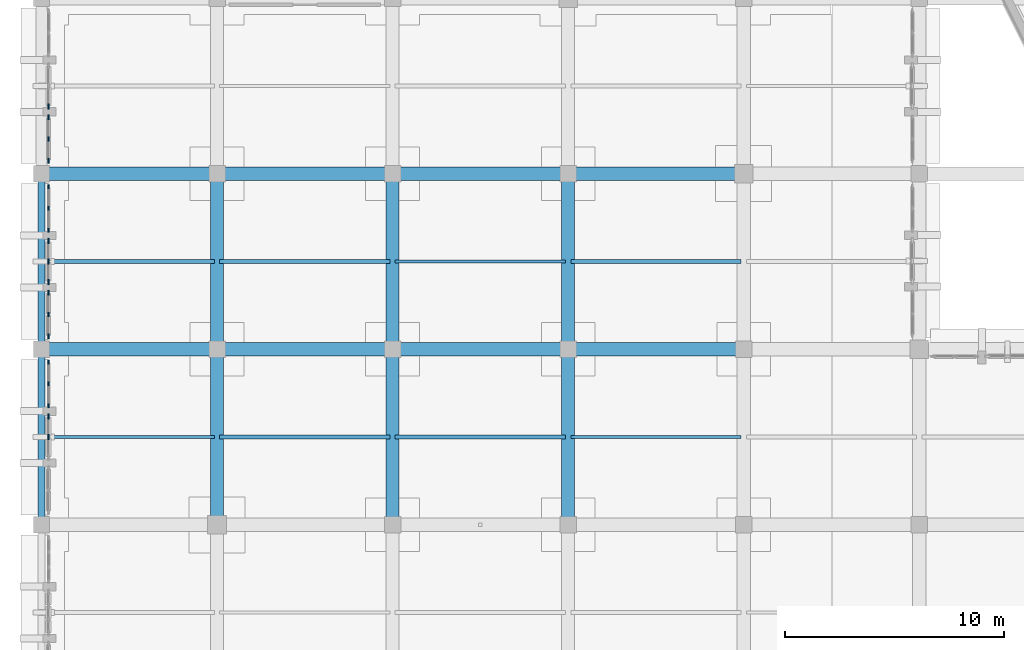
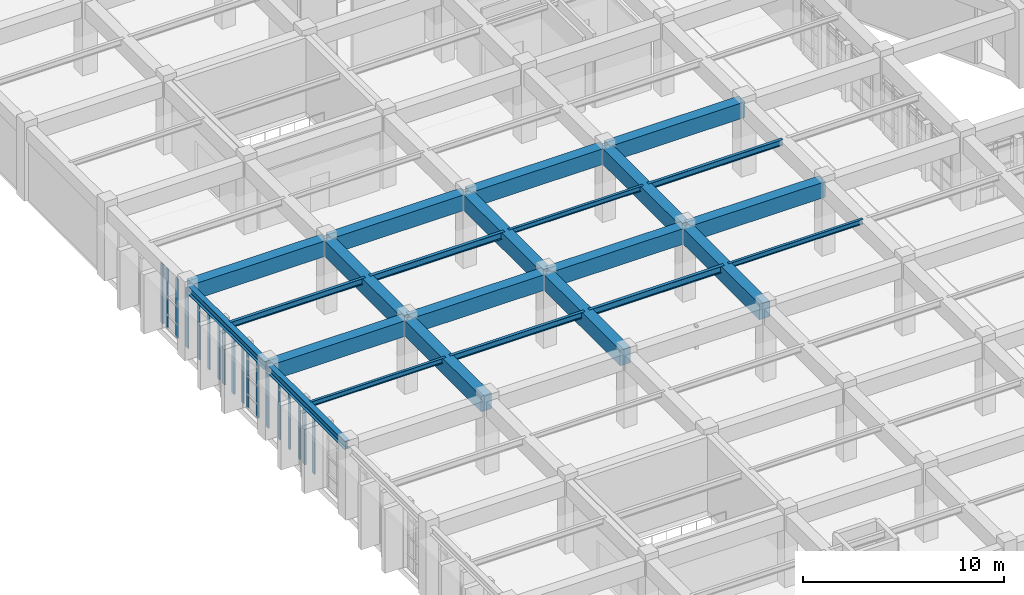
# One storey, part 14 of 155: 24 beams, 18 members, 7 elements without a shape of their own.
"""IFC4 building model written with IfcOpenShell, lengths in metres."""

from ifc_helpers import new_model, si_unit, direction, frame, origin, origin_2d, place, context, subcontext, project, spatial, rectangle, i_section, extrude, material, layer, layer_set, material_profile, profile_set, type_object, element, aggregate, save


model = new_model("IFC4")

# Units and contexts
model_context = context("Model", 3, precision=1e-05, world=origin(), true_north=direction((0.0, 1.0)))
body_context = subcontext(model_context, "Body", "Model", "MODEL_VIEW")
ifc_project = project(units=[si_unit("LENGTHUNIT", "METRE"), si_unit("AREAUNIT", "SQUARE_METRE"), si_unit("VOLUMEUNIT", "CUBIC_METRE"), si_unit("PLANEANGLEUNIT", "RADIAN"), si_unit("MASSUNIT", "GRAM", prefix="KILO")], contexts=[model_context])

# Site, building, storey
site_placement = place(None, origin())
site = spatial("IfcSite", under=ifc_project, at=site_placement, CompositionType="ELEMENT")
building_placement = place(site_placement, origin())
building = spatial("IfcBuilding", under=site, at=building_placement, Name="Tazarka Park Arena", CompositionType="ELEMENT")
storey_placement = place(building_placement, frame((0.0, 0.0, 5.39990234375)))
storey = spatial("IfcBuildingStorey", under=building, at=storey_placement, Name="L01", CompositionType="ELEMENT", Elevation=5.39990234375)

# Beams
ifc_material_1 = material(Name="Concrete C40/50", Category="concrete")
ifc_material_profile_1 = material_profile(ifc_material_1, rectangle(XDim=0.60009765625, YDim=0.949951171875, at=origin_2d()), Name="Concrete C40/50")
ifc_profile_set_1 = profile_set([ifc_material_profile_1], Name="Concrete C40/50")
beam_type_1 = type_object("IfcBeamType", Name="BM-B-03", PredefinedType="BEAM", material=ifc_profile_set_1)
for number, where, z_axis, x_axis, name in (
    (1, (0.1201171875, 40.0, 3.945068359375), (1.0, 0.0, 0.0), (0.0, 1.0, 0.0), "GXM-L01-00-05"),
    (2, (0.1201171875, 48.0, 3.945068359375), (1.0, 0.0, 0.0), (0.0, 1.0, 0.0), "GXM-L01-00-06"),
    (3, (8.0, 32.1201171875, 3.945068359375), (0.0, 1.0, 0.0), (-1.0, 0.0, 0.0), "GYM-L01-01-04"),
    (4, (8.1201171875, 40.0, 3.945068359375), (1.0, 0.0, 0.0), (0.0, 1.0, 0.0), "GXM-L01-01-05"),
    (5, (8.0, 40.1201171875, 3.945068359375), (0.0, 1.0, 0.0), (-1.0, 0.0, 0.0), "GYM-L01-01-05"),
    (6, (8.1201171875, 48.0, 3.945068359375), (1.0, 0.0, 0.0), (0.0, 1.0, 0.0), "GXM-L01-01-06"),
    (7, (16.0, 32.1201171875, 3.945068359375), (0.0, 1.0, 0.0), (-1.0, 0.0, 0.0), "GYM-L01-02-04"),
    (8, (16.1201171875, 40.0, 3.945068359375), (1.0, 0.0, 0.0), (0.0, 1.0, 0.0), "GXM-L01-02-05"),
    (9, (16.0, 40.1201171875, 3.945068359375), (0.0, 1.0, 0.0), (-1.0, 0.0, 0.0), "GYM-L01-02-05"),
    (10, (16.1201171875, 48.0, 3.945068359375), (1.0, 0.0, 0.0), (0.0, 1.0, 0.0), "GXM-L01-02-06"),
    (11, (24.0, 32.1201171875, 3.945068359375), (0.0, 1.0, 0.0), (-1.0, 0.0, 0.0), "GYM-L01-03-04"),
    (12, (24.1201171875, 40.0, 3.945068359375), (1.0, 0.0, 0.0), (0.0, 1.0, 0.0), "GXM-L01-03-05"),
    (13, (24.0, 40.1201171875, 3.945068359375), (0.0, 1.0, 0.0), (-1.0, 0.0, 0.0), "GYM-L01-03-05"),
    (14, (24.1201171875, 48.0, 3.945068359375), (1.0, 0.0, 0.0), (0.0, 1.0, 0.0), "GXM-L01-03-06"),
):
    element("IfcBeam", number, at=place(storey_placement, frame(where, z_axis=z_axis, x_axis=x_axis)), inside=storey, type_object=beam_type_1, Name=name, PredefinedType="BEAM", context=body_context, shape_type="SweptSolid", body=[
        extrude(rectangle(XDim=0.60009765625, YDim=0.949951171875, at=origin_2d()), origin(), (0.0, 0.0, 1.0), 7.759765625),
    ])
ifc_material_2 = material(Name="Steel S355", Category="steel")
ifc_material_profile_2 = material_profile(ifc_material_2, i_section(OverallWidth=0.14990234375, OverallDepth=0.300048828125, WebThickness=0.007080078125, FlangeThickness=0.0107421875, FilletRadius=0.014892578125, at=origin_2d()), Name="Steel S355")
ifc_profile_set_2 = profile_set([ifc_material_profile_2], Name="Steel S355")
beam_type_2 = type_object("IfcBeamType", Name="BM-J-01", PredefinedType="JOIST", material=ifc_profile_set_2)
for number, where, z_axis, x_axis, name in (
    (15, (0.1201171875, 36.0, 4.27001953125), (1.0, 0.0, 0.0), (0.0, 1.0, 0.0), "JST-L01-00-04"),
    (16, (16.1201171875, 44.0, 4.27001953125), (1.0, 0.0, 0.0), (0.0, 1.0, 0.0), "JST-L01-02-05"),
    (17, (24.1201171875, 36.0, 4.27001953125), (1.0, 0.0, 0.0), (0.0, 1.0, 0.0), "JST-L01-03-04"),
):
    element("IfcBeam", number, at=place(storey_placement, frame(where, z_axis=z_axis, x_axis=x_axis)), inside=storey, type_object=beam_type_2, Name=name, PredefinedType="JOIST", context=body_context, shape_type="SweptSolid", body=[
        extrude(i_section(OverallWidth=0.14990234375, OverallDepth=0.300048828125, WebThickness=0.007080078125, FlangeThickness=0.0107421875, FilletRadius=0.014892578125, at=origin_2d()), origin(), (0.0, 0.0, 1.0), 7.759765625),
    ])
ifc_material_3 = material(Name="Steel S355", Category="steel")
ifc_material_profile_3 = material_profile(ifc_material_3, i_section(OverallWidth=0.169921875, OverallDepth=0.360107421875, WebThickness=0.008056640625, FlangeThickness=0.0126953125, FilletRadius=0.01806640625, at=origin_2d()), Name="Steel S355")
ifc_profile_set_3 = profile_set([ifc_material_profile_3], Name="Steel S355")
beam_type_3 = type_object("IfcBeamType", Name="BM-J-02", PredefinedType="JOIST", material=ifc_profile_set_3)
for number, where, z_axis, x_axis, name in (
    (18, (0.1201171875, 44.0, 4.239990234375), (1.0, 0.0, 0.0), (0.0, 1.0, 0.0), "JST-L01-00-05"),
    (19, (8.1201171875, 36.0, 4.239990234375), (1.0, 0.0, 0.0), (0.0, 1.0, 0.0), "JST-L01-01-04"),
    (20, (24.1201171875, 44.0, 4.239990234375), (1.0, 0.0, 0.0), (0.0, 1.0, 0.0), "JST-L01-03-05"),
):
    element("IfcBeam", number, at=place(storey_placement, frame(where, z_axis=z_axis, x_axis=x_axis)), inside=storey, type_object=beam_type_3, Name=name, PredefinedType="JOIST", context=body_context, shape_type="SweptSolid", body=[
        extrude(i_section(OverallWidth=0.169921875, OverallDepth=0.360107421875, WebThickness=0.008056640625, FlangeThickness=0.0126953125, FilletRadius=0.01806640625, at=origin_2d()), origin(), (0.0, 0.0, 1.0), 7.759765625),
    ])
ifc_material_4 = material(Name="Steel S355", Category="steel")
ifc_material_profile_4 = material_profile(ifc_material_4, i_section(OverallWidth=0.179931640625, OverallDepth=0.39990234375, WebThickness=0.008544921875, FlangeThickness=0.013427734375, FilletRadius=0.02099609375, at=origin_2d()), Name="Steel S355")
ifc_profile_set_4 = profile_set([ifc_material_profile_4], Name="Steel S355")
beam_type_4 = type_object("IfcBeamType", Name="BM-J-03", PredefinedType="JOIST", material=ifc_profile_set_4)
for number, where, z_axis, x_axis, name in (
    (21, (8.1201171875, 44.0, 4.22021484375), (1.0, 0.0, 0.0), (0.0, 1.0, 0.0), "JST-L01-01-05"),
    (22, (16.1201171875, 36.0, 4.22021484375), (1.0, 0.0, 0.0), (0.0, 1.0, 0.0), "JST-L01-02-04"),
):
    element("IfcBeam", number, at=place(storey_placement, frame(where, z_axis=z_axis, x_axis=x_axis)), inside=storey, type_object=beam_type_4, Name=name, PredefinedType="JOIST", context=body_context, shape_type="SweptSolid", body=[
        extrude(i_section(OverallWidth=0.179931640625, OverallDepth=0.39990234375, WebThickness=0.008544921875, FlangeThickness=0.013427734375, FilletRadius=0.02099609375, at=origin_2d()), origin(), (0.0, 0.0, 1.0), 7.759765625),
    ])
ifc_material_5 = material(Name="Steel S355", Category="steel")
ifc_material_profile_5 = material_profile(ifc_material_5, i_section(OverallWidth=0.300048828125, OverallDepth=0.489990234375, WebThickness=0.011962890625, FlangeThickness=0.02294921875, FilletRadius=0.027099609375, at=origin_2d()), Name="Steel S355")
ifc_profile_set_5 = profile_set([ifc_material_profile_5], Name="Steel S355")
beam_type_5 = type_object("IfcBeamType", Name="BM-SP-02", PredefinedType="SPANDREL", material=ifc_profile_set_5)
for number, where, z_axis, x_axis, name in (
    (23, (0.0, 32.1201171875, 4.175048828125), (0.0, 1.0, 0.0), (-1.0, 0.0, 0.0), "GYM-L01-00-04"),
    (24, (0.0, 40.1201171875, 4.175048828125), (0.0, 1.0, 0.0), (-1.0, 0.0, 0.0), "GYM-L01-00-05"),
):
    element("IfcBeam", number, at=place(storey_placement, frame(where, z_axis=z_axis, x_axis=x_axis)), inside=storey, type_object=beam_type_5, Name=name, PredefinedType="SPANDREL", context=body_context, shape_type="SweptSolid", body=[
        extrude(i_section(OverallWidth=0.300048828125, OverallDepth=0.489990234375, WebThickness=0.011962890625, FlangeThickness=0.02294921875, FilletRadius=0.027099609375, at=origin_2d()), origin(), (0.0, 0.0, 1.0), 7.759765625),
    ])

# Curtain wall, members
ifc_material_6 = material(Name="Aluminium and low-e glass", Category="aluminium")
ifc_layer_1 = layer(ifc_material_6, 0.179931640625, Name="Aluminium and low-e glass")
ifc_layer_set_1 = layer_set([ifc_layer_1], Name="Aluminium and low-e glass")
curtain_wall_type_1 = type_object("IfcCurtainWallType", Name="CW-24", PredefinedType="NOTDEFINED", material=ifc_layer_set_1)
curtain_wall_1_placement = place(storey_placement, origin())
curtain_wall_1 = element("IfcCurtainWall", 25, at=curtain_wall_1_placement, inside=storey, type_object=curtain_wall_type_1, Name="Curtain Wall CWA-L01-144", PredefinedType="NOTDEFINED")
ifc_material_7 = material(Name="Aluminium 6060-T66", Category="aluminium")
ifc_material_profile_6 = material_profile(ifc_material_7, rectangle(XDim=0.06494140625, YDim=0.179931640625, at=origin_2d()), Name="Aluminium 6060-T66")
ifc_profile_set_6 = profile_set([ifc_material_profile_6], Name="Aluminium 6060-T66")
member_type_1 = type_object("IfcMemberType", Name="CWM-01", PredefinedType="MULLION", material=ifc_profile_set_6)
member_1_placement = place(storey_placement, frame((0.320068359375, 45.42431640625, 0.0), z_axis=(0.0, 0.0, 1.0), x_axis=(-1.0, 0.0, 0.0)))
member_1 = element("IfcMember", 26, at=member_1_placement, type_object=member_type_1, Name="CW-24 mullion 1", PredefinedType="MULLION", context=body_context, shape_type="SweptSolid", body=[
    extrude(rectangle(XDim=0.06494140625, YDim=0.179931640625, at=origin_2d()), origin(), (0.0, 0.0, 1.0), 3.91015625),
])
member_2_placement = place(storey_placement, frame((0.320068359375, 46.41845703125, 0.0), z_axis=(0.0, 0.0, 1.0), x_axis=(-1.0, 0.0, 0.0)))
member_2 = element("IfcMember", 27, at=member_2_placement, type_object=member_type_1, Name="CW-24 mullion 2", PredefinedType="MULLION", context=body_context, shape_type="SweptSolid", body=[
    extrude(rectangle(XDim=0.06494140625, YDim=0.179931640625, at=origin_2d()), origin(), (0.0, 0.0, 1.0), 3.91015625),
])
member_3_placement = place(storey_placement, frame((0.320068359375, 47.41259765625, 0.0), z_axis=(0.0, 0.0, 1.0), x_axis=(-1.0, 0.0, 0.0)))
member_3 = element("IfcMember", 28, at=member_3_placement, type_object=member_type_1, Name="CW-24 mullion 3", PredefinedType="MULLION", context=body_context, shape_type="SweptSolid", body=[
    extrude(rectangle(XDim=0.06494140625, YDim=0.179931640625, at=origin_2d()), origin(), (0.0, 0.0, 1.0), 3.91015625),
])
aggregate(curtain_wall_1, [member_1, member_2, member_3])

ifc_material_8 = material(Name="Aluminium and low-e glass", Category="aluminium")
ifc_layer_2 = layer(ifc_material_8, 0.179931640625, Name="Aluminium and low-e glass")
ifc_layer_set_2 = layer_set([ifc_layer_2], Name="Aluminium and low-e glass")
curtain_wall_type_2 = type_object("IfcCurtainWallType", Name="CW-27", PredefinedType="NOTDEFINED", material=ifc_layer_set_2)
curtain_wall_2_placement = place(storey_placement, origin())
curtain_wall_2 = element("IfcCurtainWall", 29, at=curtain_wall_2_placement, inside=storey, type_object=curtain_wall_type_2, Name="Curtain Wall CWA-L01-147", PredefinedType="NOTDEFINED")
member_4_placement = place(storey_placement, frame((0.320068359375, 37.42431640625, 0.0), z_axis=(0.0, 0.0, 1.0), x_axis=(-1.0, 0.0, 0.0)))
member_4 = element("IfcMember", 30, at=member_4_placement, type_object=member_type_1, Name="CW-27 mullion 1", PredefinedType="MULLION", context=body_context, shape_type="SweptSolid", body=[
    extrude(rectangle(XDim=0.06494140625, YDim=0.179931640625, at=origin_2d()), origin(), (0.0, 0.0, 1.0), 3.91015625),
])
member_5_placement = place(storey_placement, frame((0.320068359375, 38.41845703125, 0.0), z_axis=(0.0, 0.0, 1.0), x_axis=(-1.0, 0.0, 0.0)))
member_5 = element("IfcMember", 31, at=member_5_placement, type_object=member_type_1, Name="CW-27 mullion 2", PredefinedType="MULLION", context=body_context, shape_type="SweptSolid", body=[
    extrude(rectangle(XDim=0.06494140625, YDim=0.179931640625, at=origin_2d()), origin(), (0.0, 0.0, 1.0), 3.91015625),
])
member_6_placement = place(storey_placement, frame((0.320068359375, 39.41259765625, 0.0), z_axis=(0.0, 0.0, 1.0), x_axis=(-1.0, 0.0, 0.0)))
member_6 = element("IfcMember", 32, at=member_6_placement, type_object=member_type_1, Name="CW-27 mullion 3", PredefinedType="MULLION", context=body_context, shape_type="SweptSolid", body=[
    extrude(rectangle(XDim=0.06494140625, YDim=0.179931640625, at=origin_2d()), origin(), (0.0, 0.0, 1.0), 3.91015625),
])
aggregate(curtain_wall_2, [member_4, member_5, member_6])

ifc_material_9 = material(Name="Aluminium and low-e glass", Category="aluminium")
ifc_layer_3 = layer(ifc_material_9, 0.179931640625, Name="Aluminium and low-e glass")
ifc_layer_set_3 = layer_set([ifc_layer_3], Name="Aluminium and low-e glass")
curtain_wall_type_3 = type_object("IfcCurtainWallType", Name="CW-19", PredefinedType="NOTDEFINED", material=ifc_layer_set_3)
curtain_wall_3_placement = place(storey_placement, origin())
curtain_wall_3 = element("IfcCurtainWall", 33, at=curtain_wall_3_placement, inside=storey, type_object=curtain_wall_type_3, Name="Curtain Wall CWA-L01-139", PredefinedType="NOTDEFINED")
ifc_material_10 = material(Name="Aluminium 6060-T66", Category="aluminium")
ifc_material_profile_7 = material_profile(ifc_material_10, rectangle(XDim=0.06494140625, YDim=0.219970703125, at=origin_2d()), Name="Aluminium 6060-T66")
ifc_profile_set_7 = profile_set([ifc_material_profile_7], Name="Aluminium 6060-T66")
member_type_2 = type_object("IfcMemberType", Name="CWM-02", PredefinedType="MULLION", material=ifc_profile_set_7)
member_7_placement = place(storey_placement, frame((0.320068359375, 48.58740234375, 0.0), z_axis=(0.0, 0.0, 1.0), x_axis=(-1.0, 0.0, 0.0)))
member_7 = element("IfcMember", 34, at=member_7_placement, type_object=member_type_2, Name="CW-19 mullion 1", PredefinedType="MULLION", context=body_context, shape_type="SweptSolid", body=[
    extrude(rectangle(XDim=0.06494140625, YDim=0.219970703125, at=origin_2d()), origin(), (0.0, 0.0, 1.0), 3.60009765625),
])
member_8_placement = place(storey_placement, frame((0.320068359375, 49.58154296875, 0.0), z_axis=(0.0, 0.0, 1.0), x_axis=(-1.0, 0.0, 0.0)))
member_8 = element("IfcMember", 35, at=member_8_placement, type_object=member_type_2, Name="CW-19 mullion 2", PredefinedType="MULLION", context=body_context, shape_type="SweptSolid", body=[
    extrude(rectangle(XDim=0.06494140625, YDim=0.219970703125, at=origin_2d()), origin(), (0.0, 0.0, 1.0), 3.60009765625),
])
member_9_placement = place(storey_placement, frame((0.320068359375, 50.57568359375, 0.0), z_axis=(0.0, 0.0, 1.0), x_axis=(-1.0, 0.0, 0.0)))
member_9 = element("IfcMember", 36, at=member_9_placement, type_object=member_type_2, Name="CW-19 mullion 3", PredefinedType="MULLION", context=body_context, shape_type="SweptSolid", body=[
    extrude(rectangle(XDim=0.06494140625, YDim=0.219970703125, at=origin_2d()), origin(), (0.0, 0.0, 1.0), 3.60009765625),
])
aggregate(curtain_wall_3, [member_7, member_8, member_9])

ifc_material_11 = material(Name="Aluminium and low-e glass", Category="aluminium")
ifc_layer_4 = layer(ifc_material_11, 0.179931640625, Name="Aluminium and low-e glass")
ifc_layer_set_4 = layer_set([ifc_layer_4], Name="Aluminium and low-e glass")
curtain_wall_type_4 = type_object("IfcCurtainWallType", Name="CW-22", PredefinedType="NOTDEFINED", material=ifc_layer_set_4)
curtain_wall_4_placement = place(storey_placement, origin())
curtain_wall_4 = element("IfcCurtainWall", 37, at=curtain_wall_4_placement, inside=storey, type_object=curtain_wall_type_4, Name="Curtain Wall CWA-L01-142", PredefinedType="NOTDEFINED")
member_10_placement = place(storey_placement, frame((0.320068359375, 40.58740234375, 0.0), z_axis=(0.0, 0.0, 1.0), x_axis=(-1.0, 0.0, 0.0)))
member_10 = element("IfcMember", 38, at=member_10_placement, type_object=member_type_2, Name="CW-22 mullion 1", PredefinedType="MULLION", context=body_context, shape_type="SweptSolid", body=[
    extrude(rectangle(XDim=0.06494140625, YDim=0.219970703125, at=origin_2d()), origin(), (0.0, 0.0, 1.0), 3.91015625),
])
member_11_placement = place(storey_placement, frame((0.320068359375, 41.58154296875, 0.0), z_axis=(0.0, 0.0, 1.0), x_axis=(-1.0, 0.0, 0.0)))
member_11 = element("IfcMember", 39, at=member_11_placement, type_object=member_type_2, Name="CW-22 mullion 2", PredefinedType="MULLION", context=body_context, shape_type="SweptSolid", body=[
    extrude(rectangle(XDim=0.06494140625, YDim=0.219970703125, at=origin_2d()), origin(), (0.0, 0.0, 1.0), 3.91015625),
])
member_12_placement = place(storey_placement, frame((0.320068359375, 42.57568359375, 0.0), z_axis=(0.0, 0.0, 1.0), x_axis=(-1.0, 0.0, 0.0)))
member_12 = element("IfcMember", 40, at=member_12_placement, type_object=member_type_2, Name="CW-22 mullion 3", PredefinedType="MULLION", context=body_context, shape_type="SweptSolid", body=[
    extrude(rectangle(XDim=0.06494140625, YDim=0.219970703125, at=origin_2d()), origin(), (0.0, 0.0, 1.0), 3.91015625),
])
aggregate(curtain_wall_4, [member_10, member_11, member_12])

# Curtain wall, member
ifc_material_12 = material(Name="Aluminium and low-e glass", Category="aluminium")
ifc_layer_5 = layer(ifc_material_12, 0.179931640625, Name="Aluminium and low-e glass")
ifc_layer_set_5 = layer_set([ifc_layer_5], Name="Aluminium and low-e glass")
curtain_wall_type_5 = type_object("IfcCurtainWallType", Name="CW-20", PredefinedType="NOTDEFINED", material=ifc_layer_set_5)
curtain_wall_5_placement = place(storey_placement, origin())
curtain_wall_5 = element("IfcCurtainWall", 41, at=curtain_wall_5_placement, inside=storey, type_object=curtain_wall_type_5, Name="Curtain Wall CWA-L01-140", PredefinedType="NOTDEFINED")
ifc_material_13 = material(Name="Aluminium 6060-T66", Category="aluminium")
ifc_material_profile_8 = material_profile(ifc_material_13, rectangle(XDim=0.074951171875, YDim=0.25, at=origin_2d()), Name="Aluminium 6060-T66")
ifc_profile_set_8 = profile_set([ifc_material_profile_8], Name="Aluminium 6060-T66")
member_type_3 = type_object("IfcMemberType", Name="CWM-03", PredefinedType="MULLION", material=ifc_profile_set_8)
member_13_placement = place(storey_placement, frame((0.320068359375, 51.06591796875, 0.0), z_axis=(0.0, 0.0, 1.0), x_axis=(-1.0, 0.0, 0.0)))
member_13 = element("IfcMember", 42, at=member_13_placement, type_object=member_type_3, Name="CW-20 mullion 1", PredefinedType="MULLION", context=body_context, shape_type="SweptSolid", body=[
    extrude(rectangle(XDim=0.074951171875, YDim=0.25, at=origin_2d()), origin(), (0.0, 0.0, 1.0), 3.60009765625),
])
aggregate(curtain_wall_5, [member_13])

# Curtain wall, members
ifc_material_14 = material(Name="Aluminium and low-e glass", Category="aluminium")
ifc_layer_6 = layer(ifc_material_14, 0.179931640625, Name="Aluminium and low-e glass")
ifc_layer_set_6 = layer_set([ifc_layer_6], Name="Aluminium and low-e glass")
curtain_wall_type_6 = type_object("IfcCurtainWallType", Name="CW-23", PredefinedType="NOTDEFINED", material=ifc_layer_set_6)
curtain_wall_6_placement = place(storey_placement, origin())
curtain_wall_6 = element("IfcCurtainWall", 43, at=curtain_wall_6_placement, inside=storey, type_object=curtain_wall_type_6, Name="Curtain Wall CWA-L01-143", PredefinedType="NOTDEFINED")
member_14_placement = place(storey_placement, frame((0.320068359375, 43.06591796875, 0.0), z_axis=(0.0, 0.0, 1.0), x_axis=(-1.0, 0.0, 0.0)))
member_14 = element("IfcMember", 44, at=member_14_placement, type_object=member_type_3, Name="CW-23 mullion 1", PredefinedType="MULLION", context=body_context, shape_type="SweptSolid", body=[
    extrude(rectangle(XDim=0.074951171875, YDim=0.25, at=origin_2d()), origin(), (0.0, 0.0, 1.0), 3.91015625),
])
member_15_placement = place(storey_placement, frame((0.320068359375, 44.0, 0.0), z_axis=(0.0, 0.0, 1.0), x_axis=(-1.0, 0.0, 0.0)))
member_15 = element("IfcMember", 45, at=member_15_placement, type_object=member_type_3, Name="CW-23 mullion 2", PredefinedType="MULLION", context=body_context, shape_type="SweptSolid", body=[
    extrude(rectangle(XDim=0.074951171875, YDim=0.25, at=origin_2d()), origin(), (0.0, 0.0, 1.0), 3.91015625),
])
member_16_placement = place(storey_placement, frame((0.320068359375, 44.93408203125, 0.0), z_axis=(0.0, 0.0, 1.0), x_axis=(-1.0, 0.0, 0.0)))
member_16 = element("IfcMember", 46, at=member_16_placement, type_object=member_type_3, Name="CW-23 mullion 3", PredefinedType="MULLION", context=body_context, shape_type="SweptSolid", body=[
    extrude(rectangle(XDim=0.074951171875, YDim=0.25, at=origin_2d()), origin(), (0.0, 0.0, 1.0), 3.91015625),
])
aggregate(curtain_wall_6, [member_14, member_15, member_16])

ifc_material_15 = material(Name="Aluminium and low-e glass", Category="aluminium")
ifc_layer_7 = layer(ifc_material_15, 0.179931640625, Name="Aluminium and low-e glass")
ifc_layer_set_7 = layer_set([ifc_layer_7], Name="Aluminium and low-e glass")
curtain_wall_type_7 = type_object("IfcCurtainWallType", Name="CW-26", PredefinedType="NOTDEFINED", material=ifc_layer_set_7)
curtain_wall_7_placement = place(storey_placement, origin())
curtain_wall_7 = element("IfcCurtainWall", 47, at=curtain_wall_7_placement, inside=storey, type_object=curtain_wall_type_7, Name="Curtain Wall CWA-L01-146", PredefinedType="NOTDEFINED")
member_17_placement = place(storey_placement, frame((0.320068359375, 36.0, 0.0), z_axis=(0.0, 0.0, 1.0), x_axis=(-1.0, 0.0, 0.0)))
member_17 = element("IfcMember", 48, at=member_17_placement, type_object=member_type_3, Name="CW-26 mullion 2", PredefinedType="MULLION", context=body_context, shape_type="SweptSolid", body=[
    extrude(rectangle(XDim=0.074951171875, YDim=0.25, at=origin_2d()), origin(), (0.0, 0.0, 1.0), 3.91015625),
])
member_18_placement = place(storey_placement, frame((0.320068359375, 36.93408203125, 0.0), z_axis=(0.0, 0.0, 1.0), x_axis=(-1.0, 0.0, 0.0)))
member_18 = element("IfcMember", 49, at=member_18_placement, type_object=member_type_3, Name="CW-26 mullion 3", PredefinedType="MULLION", context=body_context, shape_type="SweptSolid", body=[
    extrude(rectangle(XDim=0.074951171875, YDim=0.25, at=origin_2d()), origin(), (0.0, 0.0, 1.0), 3.91015625),
])
aggregate(curtain_wall_7, [member_17, member_18])

save(model, "model.ifc")
